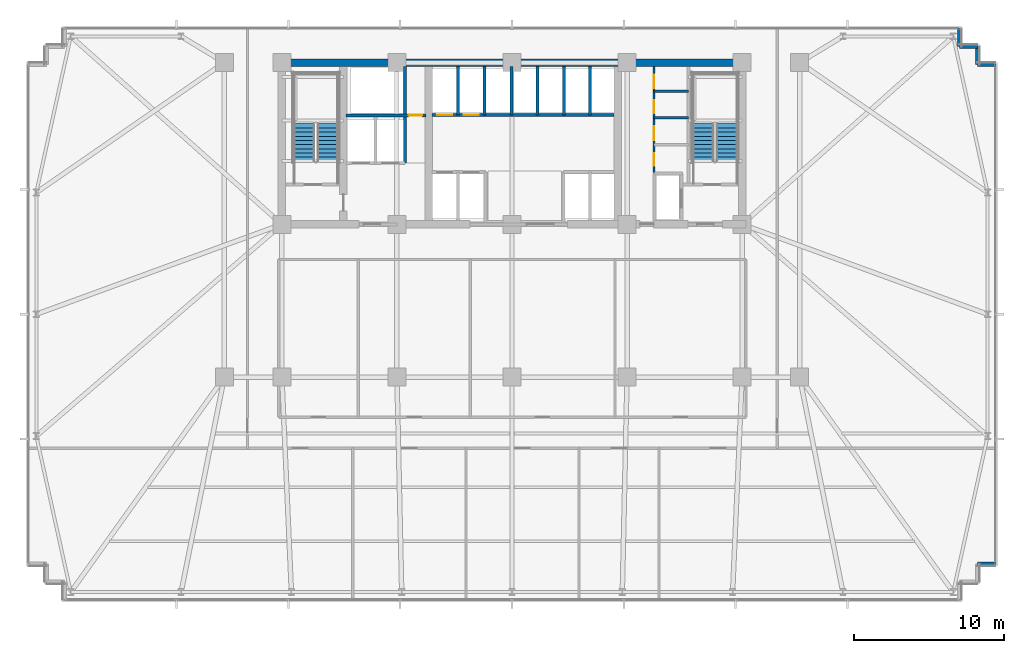
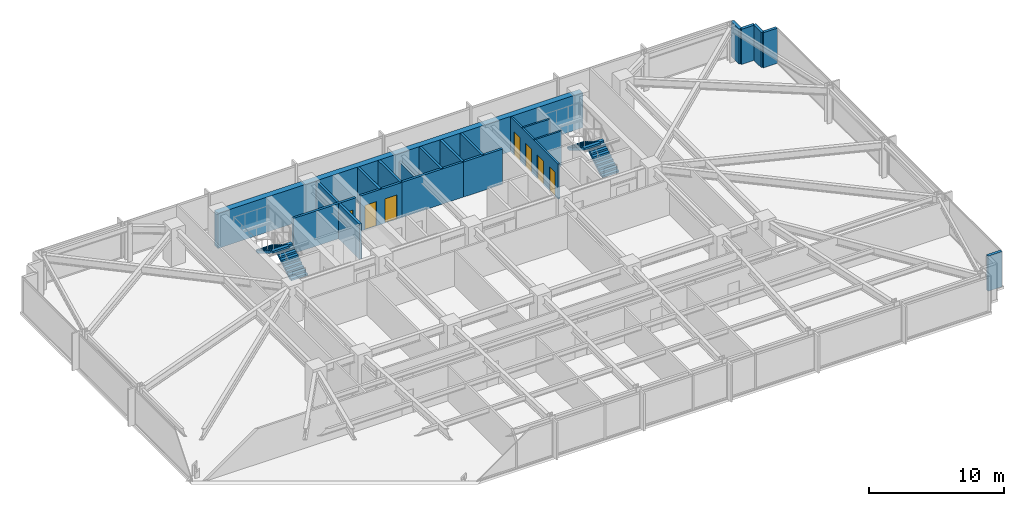
# One storey, part 26 of 33: 20 walls, 7 doors, 4 stair flights, 7 openings, 2 elements without a shape of their own.
"""IFC4 building model written with IfcOpenShell, lengths in metres."""

from ifc_helpers import new_model, si_unit, direction, frame, frame_2d, origin, place, context, subcontext, project, spatial, polyline, rectangle, outline, extrude, material, layer, layer_set, type_object, element, fill, aggregate, save


model = new_model("IFC4")

# Units and contexts
model_context = context("Model", 3, precision=1e-05, world=origin(), true_north=direction((0.0, 1.0)))
body_context = subcontext(model_context, "Body", "Model", "MODEL_VIEW")
ifc_project = project(units=[si_unit("LENGTHUNIT", "METRE"), si_unit("AREAUNIT", "SQUARE_METRE"), si_unit("VOLUMEUNIT", "CUBIC_METRE"), si_unit("PLANEANGLEUNIT", "RADIAN"), si_unit("MASSUNIT", "GRAM", prefix="KILO")], contexts=[model_context])

# Site, building, storey
site_placement = place(None, origin())
site = spatial("IfcSite", under=ifc_project, at=site_placement, CompositionType="ELEMENT")
building_placement = place(site_placement, origin())
building = spatial("IfcBuilding", under=site, at=building_placement, Name="Yelkora Congress Tower", CompositionType="ELEMENT")
storey_placement = place(building_placement, frame((0.0, 0.0, 71.199951171875)))
storey = spatial("IfcBuildingStorey", under=building, at=storey_placement, Name="L18", CompositionType="ELEMENT", Elevation=71.199951171875)

# Walls
ifc_material_1 = material(Name="Concrete C60/75", Category="concrete")
ifc_layer_1 = layer(ifc_material_1, 0.5)
ifc_layer_set_1 = layer_set([ifc_layer_1], Name="Concrete C60/75")
wall_type_1 = type_object("IfcWallType", Name="WALL-CORE-INT-500", PredefinedType="SHEAR", material=ifc_layer_set_1)
wall_1_placement = place(storey_placement, frame((22.7900390625, 46.199951171875, 0.0), z_axis=(0.0, 0.0, 1.0), x_axis=(1.0, 0.0, 0.0)))
element("IfcWall", 1, at=wall_1_placement, inside=storey, type_object=wall_type_1, Name="L18 Rear Core North Shear Wall", PredefinedType="SHEAR", context=body_context, shape_type="SweptSolid", body=[
    extrude(rectangle(XDim=31.219970703125, YDim=0.5, at=frame_2d((15.60986328125, 0.0))), origin(), (0.0, 0.0, 1.0), 3.179931640625),
])
ifc_material_2 = material(Name="Concrete C40/50", Category="concrete")
ifc_layer_2 = layer(ifc_material_2, 0.239990234375)
ifc_layer_set_2 = layer_set([ifc_layer_2], Name="Concrete C40/50")
wall_type_2 = type_object("IfcWallType", Name="WALL-EXT-LIMESTONE-240", PredefinedType="SOLIDWALL", material=ifc_layer_set_2)
for number, where, z_axis, x_axis, name in (
    (2, (68.260009765625, 48.4599609375, 0.0), (0.0, 0.0, 1.0), (0.0, -1.0, 0.0), "L18 Serrated Corner Limestone Pier 11"),
    (3, (68.260009765625, 47.260009765625, 0.0), (0.0, 0.0, 1.0), (1.0, 0.0, 0.0), "L18 Serrated Corner Limestone Pier 12"),
    (4, (69.4599609375, 47.260009765625, 0.0), (0.0, 0.0, 1.0), (0.0, -1.0, 0.0), "L18 Serrated Corner Limestone Pier 13"),
    (5, (69.4599609375, 46.06005859375, 0.0), (0.0, 0.0, 1.0), (1.0, 0.0, 0.0), "L18 Serrated Corner Limestone Pier 14"),
    (6, (70.659912109375, 12.739990234375, 0.0), (0.0, 0.0, 1.0), (-1.0, 0.0, 0.0), "L18 Serrated Corner Limestone Pier 16"),
):
    element("IfcWall", number, at=place(storey_placement, frame(where, z_axis=z_axis, x_axis=x_axis)), inside=storey, type_object=wall_type_2, Name=name, PredefinedType="SOLIDWALL", context=body_context, shape_type="SweptSolid", body=[
        extrude(rectangle(XDim=1.199951171875, YDim=0.239990234375, at=frame_2d((0.60009765625, 0.0))), origin(), (0.0, 0.0, 1.0), 3.179931640625),
    ])
ifc_material_3 = material(Name="Acoustic metal-stud gypsum partition", Category="gypsum")
ifc_layer_3 = layer(ifc_material_3, 0.14990234375)
ifc_layer_set_3 = layer_set([ifc_layer_3], Name="Acoustic metal-stud gypsum partition")
wall_type_3 = type_object("IfcWallType", Name="WALL-INT-150-NR", PredefinedType="PARTITIONING", material=ifc_layer_set_3)
for number, where, z_axis, x_axis, name in (
    (7, (47.8798828125, 42.52001953125, 0.0), (0.0, 0.0, 1.0), (1.0, 0.0, 0.0), "L18 Partition Wall 29"),
    (8, (47.8798828125, 44.280029296875, 0.0), (0.0, 0.0, 1.0), (1.0, 0.0, 0.0), "L18 Partition Wall 30"),
):
    element("IfcWall", number, at=place(storey_placement, frame(where, z_axis=z_axis, x_axis=x_axis)), inside=storey, type_object=wall_type_3, Name=name, PredefinedType="PARTITIONING", context=body_context, shape_type="SweptSolid", body=[
        extrude(rectangle(XDim=2.300048828125, YDim=0.14990234375, at=frame_2d((1.14990234375, 0.0))), origin(), (0.0, 0.0, 1.0), 3.179931640625),
    ])

# Wall, openings, doors
wall_2_placement = place(storey_placement, frame((47.8798828125, 38.85009765625, 0.0), z_axis=(0.0, 0.0, 1.0), x_axis=(0.0, 1.0, 0.0)))
wall_2 = element("IfcWall", 9, at=wall_2_placement, inside=storey, type_object=wall_type_3, Name="L18 Partition Wall 31", PredefinedType="PARTITIONING", context=body_context, shape_type="SweptSolid", body=[
    extrude(rectangle(XDim=7.06982421875, YDim=0.14990234375, at=frame_2d((3.534912109375, 0.0))), origin(), (0.0, 0.0, 1.0), 3.179931640625),
])
opening_1_placement = place(wall_2_placement, frame((0.449951171875, 0.0, 0.0)))
opening_1 = element("IfcOpeningElement", 10, at=opening_1_placement, cuts=wall_2, Name="Opening DR-085N", PredefinedType="OPENING", context=body_context, shape_type="SweptSolid", body=[
    extrude(rectangle(XDim=0.85009765625, YDim=2.14990234375, at=frame_2d((0.425048828125, 1.074951171875))), frame((0.0, 0.0849609375, 0.0), z_axis=(0.0, -1.0, 0.0), x_axis=(1.0, 0.0, 0.0)), (0.0, 0.0, 1.0), 0.169921875),
])
opening_2_placement = place(wall_2_placement, frame((2.14990234375, 0.0, 0.0)))
opening_2 = element("IfcOpeningElement", 11, at=opening_2_placement, cuts=wall_2, Name="Opening DR-095N", PredefinedType="OPENING", context=body_context, shape_type="SweptSolid", body=[
    extrude(rectangle(XDim=0.949951171875, YDim=2.14990234375, at=frame_2d((0.47509765625, 1.074951171875))), frame((0.0, 0.0849609375, 0.0), z_axis=(0.0, -1.0, 0.0), x_axis=(1.0, 0.0, 0.0)), (0.0, 0.0, 1.0), 0.169921875),
])
opening_3_placement = place(wall_2_placement, frame((3.949951171875, 0.0, 0.0)))
opening_3 = element("IfcOpeningElement", 12, at=opening_3_placement, cuts=wall_2, Name="Opening DR-090N", PredefinedType="OPENING", context=body_context, shape_type="SweptSolid", body=[
    extrude(rectangle(XDim=0.89990234375, YDim=2.14990234375, at=frame_2d((0.449951171875, 1.074951171875))), frame((0.0, 0.0849609375, 0.0), z_axis=(0.0, -1.0, 0.0), x_axis=(1.0, 0.0, 0.0)), (0.0, 0.0, 1.0), 0.169921875),
])
opening_4_placement = place(wall_2_placement, frame((5.64990234375, 0.0, 0.0)))
opening_4 = element("IfcOpeningElement", 13, at=opening_4_placement, cuts=wall_2, Name="Opening DR-090N", PredefinedType="OPENING", context=body_context, shape_type="SweptSolid", body=[
    extrude(rectangle(XDim=0.89990234375, YDim=2.14990234375, at=frame_2d((0.449951171875, 1.074951171875))), frame((0.0, 0.0849609375, 0.0), z_axis=(0.0, -1.0, 0.0), x_axis=(1.0, 0.0, 0.0)), (0.0, 0.0, 1.0), 0.169921875),
])
ifc_material_4 = material(Name="Laminate service store door leaf", Category="wood")
door_type_1 = type_object("IfcDoorType", Name="DOOR-INT-850", OperationType="NOTDEFINED", PredefinedType="DOOR", material=ifc_material_4)
door_1_placement = place(opening_1_placement, origin())
door_1 = element("IfcDoor", 14, at=door_1_placement, inside=storey, type_object=door_type_1, Name="L18 Janitor Room Door", OperationType="SINGLE_SWING_RIGHT", OverallHeight=2.14990234375, OverallWidth=0.85009765625, PredefinedType="DOOR", context=body_context, shape_type="SweptSolid", body=[
    extrude(rectangle(XDim=0.85009765625, YDim=2.14990234375, at=frame_2d((0.425048828125, 1.074951171875))), frame((0.0, 0.02490234375, 0.0), z_axis=(0.0, -1.0, 0.0), x_axis=(1.0, 0.0, 0.0)), (0.0, 0.0, 1.0), 0.050048828125),
])
fill(opening_1, door_1)
ifc_material_5 = material(Name="Moisture-resistant laminate door leaf", Category="wood")
door_type_2 = type_object("IfcDoorType", Name="DOOR-INT-900", OperationType="NOTDEFINED", PredefinedType="DOOR", material=ifc_material_5)
door_2_placement = place(opening_3_placement, origin())
door_2 = element("IfcDoor", 15, at=door_2_placement, inside=storey, type_object=door_type_2, Name="L18 Male WC Door", OperationType="SINGLE_SWING_RIGHT", OverallHeight=2.14990234375, OverallWidth=0.89990234375, PredefinedType="DOOR", context=body_context, shape_type="SweptSolid", body=[
    extrude(rectangle(XDim=0.89990234375, YDim=2.14990234375, at=frame_2d((0.449951171875, 1.074951171875))), frame((0.0, 0.02490234375, 0.0), z_axis=(0.0, -1.0, 0.0), x_axis=(1.0, 0.0, 0.0)), (0.0, 0.0, 1.0), 0.050048828125),
])
fill(opening_3, door_2)
door_3_placement = place(opening_4_placement, origin())
door_3 = element("IfcDoor", 16, at=door_3_placement, inside=storey, type_object=door_type_2, Name="L18 Female WC Door", OperationType="SINGLE_SWING_LEFT", OverallHeight=2.14990234375, OverallWidth=0.89990234375, PredefinedType="DOOR", context=body_context, shape_type="SweptSolid", body=[
    extrude(rectangle(XDim=0.89990234375, YDim=2.14990234375, at=frame_2d((0.449951171875, 1.074951171875))), frame((0.0, 0.02490234375, 0.0), z_axis=(0.0, -1.0, 0.0), x_axis=(1.0, 0.0, 0.0)), (0.0, 0.0, 1.0), 0.050048828125),
])
fill(opening_4, door_3)
ifc_material_6 = material(Name="Acoustic laminated timber office door", Category="wood")
door_type_3 = type_object("IfcDoorType", Name="DOOR-INT-950", OperationType="NOTDEFINED", PredefinedType="DOOR", material=ifc_material_6)
door_4_placement = place(opening_2_placement, origin())
door_4 = element("IfcDoor", 17, at=door_4_placement, inside=storey, type_object=door_type_3, Name="L18 Accessible WC Door", OperationType="SINGLE_SWING_LEFT", OverallHeight=2.14990234375, OverallWidth=0.949951171875, PredefinedType="DOOR", context=body_context, shape_type="SweptSolid", body=[
    extrude(rectangle(XDim=0.949951171875, YDim=2.14990234375, at=frame_2d((0.47509765625, 1.074951171875))), frame((0.0, 0.02490234375, 0.0), z_axis=(0.0, -1.0, 0.0), x_axis=(1.0, 0.0, 0.0)), (0.0, 0.0, 1.0), 0.050048828125),
])
fill(opening_2, door_4)

# Wall
ifc_material_7 = material(Name="Autoclaved aerated concrete blockwork", Category="masonry")
ifc_layer_4 = layer(ifc_material_7, 0.199951171875)
ifc_layer_set_4 = layer_set([ifc_layer_4], Name="Autoclaved aerated concrete blockwork")
wall_type_4 = type_object("IfcWallType", Name="WALL-INT-200-R120", PredefinedType="PARTITIONING", material=ifc_layer_set_4)
wall_3_placement = place(storey_placement, frame((31.260009765625, 39.47998046875, 0.0), z_axis=(0.0, 0.0, 1.0), x_axis=(0.0, 1.0, 0.0)))
element("IfcWall", 18, at=wall_3_placement, inside=storey, type_object=wall_type_4, Name="L18 Partition Wall 5", PredefinedType="PARTITIONING", context=body_context, shape_type="SweptSolid", body=[
    extrude(rectangle(XDim=6.43994140625, YDim=0.199951171875, at=frame_2d((3.219970703125, 0.0))), origin(), (0.0, 0.0, 1.0), 3.179931640625),
])

# Wall, opening, door
wall_4_placement = place(storey_placement, frame((27.320068359375, 42.679931640625, 0.0), z_axis=(0.0, 0.0, 1.0), x_axis=(1.0, 0.0, 0.0)))
wall_4 = element("IfcWall", 19, at=wall_4_placement, inside=storey, type_object=wall_type_4, Name="L18 Smoke Riser South Wall", PredefinedType="PARTITIONING", context=body_context, shape_type="SweptSolid", body=[
    extrude(rectangle(XDim=5.329833984375, YDim=0.199951171875, at=frame_2d((2.6650390625, 0.0))), origin(), (0.0, 0.0, 1.0), 3.179931640625),
])
opening_5_placement = place(wall_4_placement, frame((4.179931640625, 0.0, 0.0)))
opening_5 = element("IfcOpeningElement", 20, at=opening_5_placement, cuts=wall_4, Name="Opening DR-090F6", PredefinedType="OPENING", context=body_context, shape_type="SweptSolid", body=[
    extrude(rectangle(XDim=0.89990234375, YDim=2.14990234375, at=frame_2d((0.449951171875, 1.074951171875))), frame((0.0, 0.10986328125, 0.0), z_axis=(0.0, -1.0, 0.0), x_axis=(1.0, 0.0, 0.0)), (0.0, 0.0, 1.0), 0.219970703125),
])
ifc_material_8 = material(Name="Painted steel riser fire door leaf", Category="steel")
door_type_4 = type_object("IfcDoorType", Name="DOOR-FD60-900", OperationType="NOTDEFINED", PredefinedType="DOOR", material=ifc_material_8)
door_5_placement = place(opening_5_placement, origin())
door_5 = element("IfcDoor", 21, at=door_5_placement, inside=storey, type_object=door_type_4, Name="L18 Riser Access Door", OperationType="SINGLE_SWING_LEFT", OverallHeight=2.14990234375, OverallWidth=0.89990234375, PredefinedType="DOOR", context=body_context, shape_type="SweptSolid", body=[
    extrude(rectangle(XDim=0.89990234375, YDim=2.14990234375, at=frame_2d((0.449951171875, 1.074951171875))), frame((0.0, 0.02490234375, 0.0), z_axis=(0.0, -1.0, 0.0), x_axis=(1.0, 0.0, 0.0)), (0.0, 0.0, 1.0), 0.050048828125),
])
fill(opening_5, door_5)

# Walls
wall_5_placement = place(storey_placement, frame((36.60009765625, 42.699951171875, 0.0), z_axis=(0.0, 0.0, 1.0), x_axis=(1.0, 0.0, 0.0)))
element("IfcWall", 22, at=wall_5_placement, inside=storey, type_object=wall_type_4, Name="L18 Partition Wall 8", PredefinedType="PARTITIONING", context=body_context, shape_type="SweptSolid", body=[
    extrude(rectangle(XDim=5.25, YDim=0.199951171875, at=frame_2d((2.625, 0.0))), origin(), (0.0, 0.0, 1.0), 3.179931640625),
])
wall_6_placement = place(storey_placement, frame((38.35009765625, 42.699951171875, 0.0), z_axis=(0.0, 0.0, 1.0), x_axis=(0.0, 1.0, 0.0)))
element("IfcWall", 23, at=wall_6_placement, inside=storey, type_object=wall_type_4, Name="L18 Partition Wall 9", PredefinedType="PARTITIONING", context=body_context, shape_type="SweptSolid", body=[
    extrude(rectangle(XDim=3.219970703125, YDim=0.199951171875, at=frame_2d((1.60986328125, 0.0))), origin(), (0.0, 0.0, 1.0), 2.47509765625),
])
wall_7_placement = place(storey_placement, frame((40.10009765625, 42.699951171875, 0.0), z_axis=(0.0, 0.0, 1.0), x_axis=(0.0, 1.0, 0.0)))
element("IfcWall", 24, at=wall_7_placement, inside=storey, type_object=wall_type_4, Name="L18 Partition Wall 10", PredefinedType="PARTITIONING", context=body_context, shape_type="SweptSolid", body=[
    extrude(rectangle(XDim=3.219970703125, YDim=0.199951171875, at=frame_2d((1.60986328125, 0.0))), origin(), (0.0, 0.0, 1.0), 3.179931640625),
])

# Wall, openings, doors
wall_8_placement = place(storey_placement, frame((33.050048828125, 42.699951171875, 0.0), z_axis=(0.0, 0.0, 1.0), x_axis=(1.0, 0.0, 0.0)))
wall_8 = element("IfcWall", 25, at=wall_8_placement, inside=storey, type_object=wall_type_4, Name="L18 Partition Wall 12", PredefinedType="PARTITIONING", context=body_context, shape_type="SweptSolid", body=[
    extrude(rectangle(XDim=3.570068359375, YDim=0.199951171875, at=frame_2d((1.78515625, 0.0))), origin(), (0.0, 0.0, 1.0), 3.179931640625),
])
opening_6_placement = place(wall_8_placement, frame((0.375, 0.0, 0.0)))
opening_6 = element("IfcOpeningElement", 26, at=opening_6_placement, cuts=wall_8, Name="Opening LD-PS10", PredefinedType="OPENING", context=body_context, shape_type="SweptSolid", body=[
    extrude(rectangle(XDim=1.0, YDim=2.199951171875, at=frame_2d((0.5, 1.10009765625))), frame((0.0, 0.10986328125, 0.0), z_axis=(0.0, -1.0, 0.0), x_axis=(1.0, 0.0, 0.0)), (0.0, 0.0, 1.0), 0.219970703125),
])
opening_7_placement = place(wall_8_placement, frame((2.125, 0.0, 0.0)))
opening_7 = element("IfcOpeningElement", 27, at=opening_7_placement, cuts=wall_8, Name="Opening LD-PS10", PredefinedType="OPENING", context=body_context, shape_type="SweptSolid", body=[
    extrude(rectangle(XDim=1.0, YDim=2.199951171875, at=frame_2d((0.5, 1.10009765625))), frame((0.0, 0.10986328125, 0.0), z_axis=(0.0, -1.0, 0.0), x_axis=(1.0, 0.0, 0.0)), (0.0, 0.0, 1.0), 0.219970703125),
])
ifc_material_9 = material(Name="Champagne stainless steel landing door", Category="steel")
door_type_5 = type_object("IfcDoorType", Name="DOOR-LIFT-PAS-1000", OperationType="DOUBLE_DOOR_SLIDING", PredefinedType="DOOR", material=ifc_material_9)
door_6_placement = place(opening_6_placement, origin())
door_6 = element("IfcDoor", 28, at=door_6_placement, inside=storey, type_object=door_type_5, Name="Lift Landing Door LF-P3 L18", OperationType="DOUBLE_DOOR_SLIDING", OverallHeight=2.199951171875, OverallWidth=1.0, PredefinedType="DOOR", context=body_context, shape_type="SweptSolid", body=[
    extrude(rectangle(XDim=1.0, YDim=2.199951171875, at=frame_2d((0.5, 1.10009765625))), frame((0.0, 0.02490234375, 0.0), z_axis=(0.0, -1.0, 0.0), x_axis=(1.0, 0.0, 0.0)), (0.0, 0.0, 1.0), 0.050048828125),
])
fill(opening_6, door_6)
door_7_placement = place(opening_7_placement, origin())
door_7 = element("IfcDoor", 29, at=door_7_placement, inside=storey, type_object=door_type_5, Name="Lift Landing Door LF-P4 L18", OperationType="DOUBLE_DOOR_SLIDING", OverallHeight=2.199951171875, OverallWidth=1.0, PredefinedType="DOOR", context=body_context, shape_type="SweptSolid", body=[
    extrude(rectangle(XDim=1.0, YDim=2.199951171875, at=frame_2d((0.5, 1.10009765625))), frame((0.0, 0.02490234375, 0.0), z_axis=(0.0, -1.0, 0.0), x_axis=(1.0, 0.0, 0.0)), (0.0, 0.0, 1.0), 0.050048828125),
])
fill(opening_7, door_7)

# Walls
for number, where, z_axis, x_axis, name in (
    (30, (34.800048828125, 42.699951171875, 0.0), (0.0, 0.0, 1.0), (0.0, 1.0, 0.0), "L18 Partition Wall 14"),
    (31, (36.580078125, 42.699951171875, 0.0), (0.0, 0.0, 1.0), (0.0, 1.0, 0.0), "L18 Partition Wall 16"),
):
    element("IfcWall", number, at=place(storey_placement, frame(where, z_axis=z_axis, x_axis=x_axis)), inside=storey, type_object=wall_type_4, Name=name, PredefinedType="PARTITIONING", context=body_context, shape_type="SweptSolid", body=[
        extrude(rectangle(XDim=3.219970703125, YDim=0.199951171875, at=frame_2d((1.60986328125, 0.0))), origin(), (0.0, 0.0, 1.0), 3.179931640625),
    ])
wall_9_placement = place(storey_placement, frame((41.85009765625, 42.699951171875, 0.0), z_axis=(0.0, 0.0, 1.0), x_axis=(1.0, 0.0, 0.0)))
element("IfcWall", 32, at=wall_9_placement, inside=storey, type_object=wall_type_4, Name="L18 Partition Wall 18", PredefinedType="PARTITIONING", context=body_context, shape_type="SweptSolid", body=[
    extrude(rectangle(XDim=3.369873046875, YDim=0.199951171875, at=frame_2d((1.68505859375, 0.0))), origin(), (0.0, 0.0, 1.0), 3.179931640625),
])
for number, where, z_axis, x_axis, name in (
    (33, (43.60009765625, 42.699951171875, 0.0), (0.0, 0.0, 1.0), (0.0, 1.0, 0.0), "L18 Partition Wall 20"),
    (34, (41.8798828125, 42.699951171875, 0.0), (0.0, 0.0, 1.0), (0.0, 1.0, 0.0), "L18 Partition Wall 22"),
):
    element("IfcWall", number, at=place(storey_placement, frame(where, z_axis=z_axis, x_axis=x_axis)), inside=storey, type_object=wall_type_4, Name=name, PredefinedType="PARTITIONING", context=body_context, shape_type="SweptSolid", body=[
        extrude(rectangle(XDim=3.219970703125, YDim=0.199951171875, at=frame_2d((1.60986328125, 0.0))), origin(), (0.0, 0.0, 1.0), 3.179931640625),
    ])

# Stair, stair flights
stair_type = type_object("IfcStairType", Name="STAIR-HT-1420-R20-170", PredefinedType="HALF_TURN_STAIR", material=ifc_material_2)
stair_1_placement = place(storey_placement, origin())
stair_1 = element("IfcStair", 35, at=stair_1_placement, inside=storey, type_object=stair_type, Name="West Core Protected Exit Stair ST-01 (L18)", PredefinedType="HALF_TURN_STAIR")
stair_flight_type = type_object("IfcStairFlightType", Name="FLIGHT-1420-N10-R170-G280", PredefinedType="STRAIGHT", material=ifc_material_2)
stair_flight_1_placement = place(storey_placement, frame((26.110107421875, 39.60009765625, 0.0), z_axis=(0.0, 0.0, 1.0), x_axis=(0.0, 1.0, 0.0)))
stair_flight_1 = element("IfcStairFlight", 36, at=stair_flight_1_placement, type_object=stair_flight_type, Name="ST-01 L18 Flight 1", NumberOfRisers=10, NumberOfTreads=9, PredefinedType="STRAIGHT", RiserHeight=0.17, TreadLength=0.28, context=body_context, shape_type="SweptSolid", body=[
    extrude(outline(polyline([(0.0, 0.0), (0.0, 0.169921875), (0.280029296875, 0.169921875), (0.280029296875, 0.340087890625), (0.56005859375, 0.340087890625), (0.56005859375, 0.510009765625), (0.840087890625, 0.510009765625), (0.840087890625, 0.679931640625), (1.1201171875, 0.679931640625), (1.1201171875, 0.85009765625), (1.39990234375, 0.85009765625), (1.39990234375, 1.02001953125), (1.679931640625, 1.02001953125), (1.679931640625, 1.18994140625), (1.9599609375, 1.18994140625), (1.9599609375, 1.360107421875), (2.239990234375, 1.360107421875), (2.239990234375, 1.530029296875), (2.52001953125, 1.530029296875), (2.52001953125, 1.699951171875), (2.52001953125, 1.343017578125), (0.30810546875, 0.0), (0.0, 0.0)])), frame((0.0, 0.7099609375, 0.0), z_axis=(0.0, -1.0, 0.0), x_axis=(1.0, 0.0, 0.0)), (0.0, 0.0, 1.0), 1.419921875),
])
stair_flight_2_placement = place(storey_placement, frame((24.530029296875, 42.1201171875, 1.699951171875), z_axis=(0.0, 0.0, 1.0), x_axis=(0.0, -1.0, 0.0)))
stair_flight_2 = element("IfcStairFlight", 37, at=stair_flight_2_placement, type_object=stair_flight_type, Name="ST-01 L18 Flight 2", NumberOfRisers=10, NumberOfTreads=9, PredefinedType="STRAIGHT", RiserHeight=0.17, TreadLength=0.28, context=body_context, shape_type="SweptSolid", body=[
    extrude(outline(polyline([(0.0, 0.0), (0.0, 0.169921875), (0.280029296875, 0.169921875), (0.280029296875, 0.340087890625), (0.56005859375, 0.340087890625), (0.56005859375, 0.510009765625), (0.840087890625, 0.510009765625), (0.840087890625, 0.679931640625), (1.1201171875, 0.679931640625), (1.1201171875, 0.85009765625), (1.39990234375, 0.85009765625), (1.39990234375, 1.02001953125), (1.679931640625, 1.02001953125), (1.679931640625, 1.18994140625), (1.9599609375, 1.18994140625), (1.9599609375, 1.360107421875), (2.239990234375, 1.360107421875), (2.239990234375, 1.530029296875), (2.52001953125, 1.530029296875), (2.52001953125, 1.699951171875), (2.52001953125, 1.343017578125), (0.30810546875, 0.0), (0.0, 0.0)])), frame((0.0, 0.7099609375, 0.0), z_axis=(0.0, -1.0, 0.0), x_axis=(1.0, 0.0, 0.0)), (0.0, 0.0, 1.0), 1.419921875),
])
aggregate(stair_1, [stair_flight_1, stair_flight_2])

stair_2_placement = place(storey_placement, origin())
stair_2 = element("IfcStair", 38, at=stair_2_placement, inside=storey, type_object=stair_type, Name="East Core Protected Exit Stair ST-02 (L18)", PredefinedType="HALF_TURN_STAIR")
stair_flight_3_placement = place(storey_placement, frame((52.75, 39.60009765625, 0.0), z_axis=(0.0, 0.0, 1.0), x_axis=(0.0, 1.0, 0.0)))
stair_flight_3 = element("IfcStairFlight", 39, at=stair_flight_3_placement, type_object=stair_flight_type, Name="ST-02 L18 Flight 1", NumberOfRisers=10, NumberOfTreads=9, PredefinedType="STRAIGHT", RiserHeight=0.17, TreadLength=0.28, context=body_context, shape_type="SweptSolid", body=[
    extrude(outline(polyline([(0.0, 0.0), (0.0, 0.169921875), (0.280029296875, 0.169921875), (0.280029296875, 0.340087890625), (0.56005859375, 0.340087890625), (0.56005859375, 0.510009765625), (0.840087890625, 0.510009765625), (0.840087890625, 0.679931640625), (1.1201171875, 0.679931640625), (1.1201171875, 0.85009765625), (1.39990234375, 0.85009765625), (1.39990234375, 1.02001953125), (1.679931640625, 1.02001953125), (1.679931640625, 1.18994140625), (1.9599609375, 1.18994140625), (1.9599609375, 1.360107421875), (2.239990234375, 1.360107421875), (2.239990234375, 1.530029296875), (2.52001953125, 1.530029296875), (2.52001953125, 1.699951171875), (2.52001953125, 1.343017578125), (0.30810546875, 0.0), (0.0, 0.0)])), frame((0.0, 0.7099609375, 0.0), z_axis=(0.0, -1.0, 0.0), x_axis=(1.0, 0.0, 0.0)), (0.0, 0.0, 1.0), 1.419921875),
])
stair_flight_4_placement = place(storey_placement, frame((51.169921875, 42.1201171875, 1.699951171875), z_axis=(0.0, 0.0, 1.0), x_axis=(0.0, -1.0, 0.0)))
stair_flight_4 = element("IfcStairFlight", 40, at=stair_flight_4_placement, type_object=stair_flight_type, Name="ST-02 L18 Flight 2", NumberOfRisers=10, NumberOfTreads=9, PredefinedType="STRAIGHT", RiserHeight=0.17, TreadLength=0.28, context=body_context, shape_type="SweptSolid", body=[
    extrude(outline(polyline([(0.0, 0.0), (0.0, 0.169921875), (0.280029296875, 0.169921875), (0.280029296875, 0.340087890625), (0.56005859375, 0.340087890625), (0.56005859375, 0.510009765625), (0.840087890625, 0.510009765625), (0.840087890625, 0.679931640625), (1.1201171875, 0.679931640625), (1.1201171875, 0.85009765625), (1.39990234375, 0.85009765625), (1.39990234375, 1.02001953125), (1.679931640625, 1.02001953125), (1.679931640625, 1.18994140625), (1.9599609375, 1.18994140625), (1.9599609375, 1.360107421875), (2.239990234375, 1.360107421875), (2.239990234375, 1.530029296875), (2.52001953125, 1.530029296875), (2.52001953125, 1.699951171875), (2.52001953125, 1.343017578125), (0.30810546875, 0.0), (0.0, 0.0)])), frame((0.0, 0.7099609375, 0.0), z_axis=(0.0, -1.0, 0.0), x_axis=(1.0, 0.0, 0.0)), (0.0, 0.0, 1.0), 1.419921875),
])
aggregate(stair_2, [stair_flight_3, stair_flight_4])

save(model, "model.ifc")
